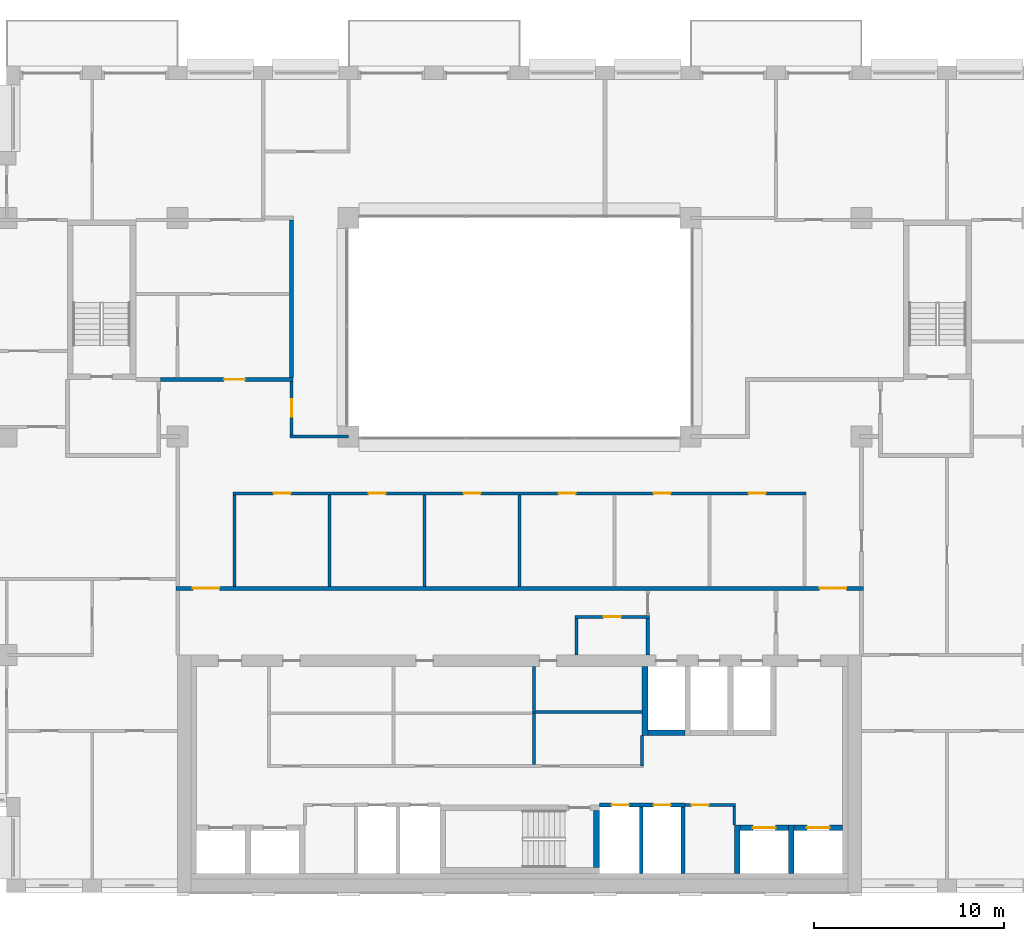
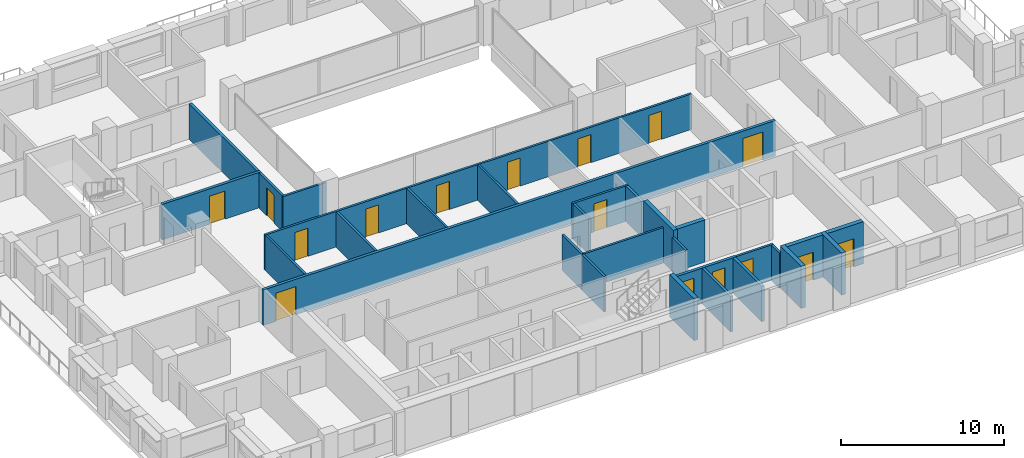
# One storey, part 10 of 16: 29 walls, 16 doors, 16 openings.
"""IFC4 building model written with IfcOpenShell, lengths in metres."""

import ifcopenshell
import ifcopenshell.guid

model = None  # the IFC model being written
_history = None  # IfcOwnerHistory: only IFC2X3 demands one
_inside = {}  # id of a spatial element -> (the spatial element, [elements in it])
_under = {}  # id of a project, library or spatial element -> (it, [spatial elements below it])
_declared = {}  # id of a project -> (the project, [libraries it declares])
_typed = {}  # id of a type object -> (the type object, [elements of that type])
_made_of = {}  # id of a material, layer set ... -> (it, [elements and type objects made of it])


def new_model(schema):
    """Start an empty IFC model of exactly this schema.

    Asked for "IFC4X3", IfcOpenShell would pick the latest addendum, in which some entities
    have other attributes; the version numbers below select the first issue.
    IFC2X3 requires an IfcOwnerHistory on every rooted entity: one is made here for all.
    """
    global model, _history
    if schema == "IFC4X3":
        model = ifcopenshell.file(schema_version=(4, 3, 0, 0))
    else:
        model = ifcopenshell.file(schema=schema)
    _inside.clear()
    _under.clear()
    _declared.clear()
    _typed.clear()
    _made_of.clear()
    _history = None
    if model.schema == "IFC2X3":
        org = make("IfcOrganization", Name="unknown")
        user = make(
            "IfcPersonAndOrganization",
            ThePerson=make("IfcPerson", FamilyName="unknown"),
            TheOrganization=org,
        )
        app = make(
            "IfcApplication",
            ApplicationDeveloper=org,
            Version="unknown",
            ApplicationFullName="unknown",
            ApplicationIdentifier="unknown",
        )
        _history = make(
            "IfcOwnerHistory",
            OwningUser=user,
            OwningApplication=app,
            ChangeAction="ADDED",
            CreationDate=0,
        )
    return model


def make(cls, **values):
    """One entity of the class cls with the attributes given. An attribute that is None is left unset."""
    return model.create_entity(
        cls, **{name: value for name, value in values.items() if value is not None}
    )


def rooted(cls, **values):
    """An entity with a GlobalId (a new one), such as an element, a storey or a relation."""
    return make(cls, GlobalId=ifcopenshell.guid.new(), OwnerHistory=_history, **values)


def si_unit(unit_type, name, prefix=None):
    """IfcSIUnit, for example si_unit("LENGTHUNIT", "METRE", prefix="MILLI")."""
    return make("IfcSIUnit", UnitType=unit_type, Prefix=prefix, Name=name)


def assignment(units):
    """IfcUnitAssignment: the units of a project."""
    return None if units is None else make("IfcUnitAssignment", Units=units)


def point(xyz):
    """IfcCartesianPoint."""
    return None if xyz is None else make("IfcCartesianPoint", Coordinates=xyz)


def direction(xyz):
    """IfcDirection."""
    return None if xyz is None else make("IfcDirection", DirectionRatios=xyz)


def frame(location, z_axis=None, x_axis=None):
    """IfcAxis2Placement3D, a coordinate frame: its origin and axes. An axis left out is left unset."""
    return make(
        "IfcAxis2Placement3D",
        Location=point(location),
        Axis=direction(z_axis),
        RefDirection=direction(x_axis),
    )


def frame_2d(location, x_axis=None):
    """IfcAxis2Placement2D, a coordinate frame in the plane: its origin and x axis."""
    return make(
        "IfcAxis2Placement2D", Location=point(location), RefDirection=direction(x_axis)
    )


def origin():
    """The frame at (0, 0, 0) with its axes left unset."""
    return frame((0.0, 0.0, 0.0))


def place(relative_to, where):
    """IfcLocalPlacement: puts the frame where relative to a parent placement (None: the world)."""
    return make(
        "IfcLocalPlacement", PlacementRelTo=relative_to, RelativePlacement=where
    )


def context(
    kind, dimensions, precision=None, world=None, true_north=None, identifier=None
):
    """IfcGeometricRepresentationContext, for example the 3D "Model" context."""
    return make(
        "IfcGeometricRepresentationContext",
        ContextIdentifier=identifier,
        ContextType=kind,
        CoordinateSpaceDimension=dimensions,
        Precision=precision,
        WorldCoordinateSystem=world,
        TrueNorth=true_north,
    )


def subcontext(parent, identifier, kind, view, scale=None):
    """IfcGeometricRepresentationSubContext, for example "Body" below "Model"."""
    return make(
        "IfcGeometricRepresentationSubContext",
        ContextIdentifier=identifier,
        ContextType=kind,
        ParentContext=parent,
        TargetScale=scale,
        TargetView=view,
    )


def project(units=None, contexts=None):
    """IfcProject with its units and contexts."""
    return rooted(
        "IfcProject",
        Name="project",
        RepresentationContexts=contexts,
        UnitsInContext=assignment(units),
    )


def spatial(cls, under=None, at=None, **own):
    """A site, building, storey or space (cls), placed at a placement, below another one or the project."""
    s = rooted(cls, ObjectPlacement=at, **own)
    if under is not None:
        _under.setdefault(under.id(), (under, []))[1].append(s)
    return s


def profile(cls, at=None, kind="AREA", **sizes):
    """A parametric profile (cls). Its sizes go by their IFC names, for example OverallWidth=200.0."""
    return make(cls, ProfileType=kind, Position=at, **sizes)


def rectangle(**sizes):
    """IfcRectangleProfileDef."""
    return profile("IfcRectangleProfileDef", **sizes)


def extrude(swept, where, along, depth):
    """IfcExtrudedAreaSolid: the profile swept, set in the frame where, extruded along a direction by depth."""
    return make(
        "IfcExtrudedAreaSolid",
        SweptArea=swept,
        Position=where,
        ExtrudedDirection=direction(along),
        Depth=depth,
    )


def shape(context_of_items, identifier, shape_type, items):
    """IfcShapeRepresentation: the items that make up one representation, for example the "Body"."""
    return make(
        "IfcShapeRepresentation",
        ContextOfItems=context_of_items,
        RepresentationIdentifier=identifier,
        RepresentationType=shape_type,
        Items=items,
    )


def material(Name=None, Category=None):
    """IfcMaterial."""
    return make("IfcMaterial", Name=Name, Category=Category)


def layer(
    of_material, thickness, ventilated=None, Name=None, Category=None, Priority=None
):
    """IfcMaterialLayer: one layer of a wall or slab, of a material (None: an air gap)."""
    return make(
        "IfcMaterialLayer",
        Material=of_material,
        LayerThickness=thickness,
        IsVentilated=ventilated,
        Name=Name,
        Category=Category,
        Priority=Priority,
    )


def layer_set(layers, Name=None):
    """IfcMaterialLayerSet."""
    return make("IfcMaterialLayerSet", MaterialLayers=layers, LayerSetName=Name)


def made_of(thing, what):
    """Note that an element or type object is made of a material, layer set ...; save() writes the relation."""
    if what is not None:
        _made_of.setdefault(what.id(), (what, []))[1].append(thing)
    return thing


def type_object(cls, material=None, **own):
    """A type object (cls), such as IfcWallType, which elements share."""
    return made_of(rooted(cls, **own), material)


def element(
    cls,
    number,
    at=None,
    inside=None,
    cuts=None,
    type_object=None,
    material=None,
    context=None,
    identifier="Body",
    shape_type=None,
    held_by="IfcProductDefinitionShape",
    body=None,
    shapes=None,
    **own,
):
    """One element of the class cls, such as IfcWall. Its Tag is "e" and its number.

    at: its placement. inside: the storey or other place that contains it. cuts: it is an
    opening in that element (IfcRelVoidsElement). A single representation is given by context,
    identifier, shape_type and body (its items); several are given by shapes. held_by: the class
    of the entity that holds the representations. save() writes the other relations.
    """
    e = rooted(cls, Tag="e%d" % number, ObjectPlacement=at, **own)
    if body is not None:
        shapes = [shape(context, identifier, shape_type, body)]
    if shapes is not None:
        e.Representation = make(held_by, Representations=shapes)
    if inside is not None:
        _inside.setdefault(inside.id(), (inside, []))[1].append(e)
    if cuts is not None:
        rooted(
            "IfcRelVoidsElement", RelatingBuildingElement=cuts, RelatedOpeningElement=e
        )
    if type_object is not None:
        _typed.setdefault(type_object.id(), (type_object, []))[1].append(e)
    return made_of(e, material)


def fill(opening, filler):
    """IfcRelFillsElement: the door or window that sits in an opening."""
    return rooted(
        "IfcRelFillsElement",
        RelatingOpeningElement=opening,
        RelatedBuildingElement=filler,
    )


def aggregate(whole, parts):
    """IfcRelAggregates: a whole, such as a stair, and the parts it consists of."""
    return rooted("IfcRelAggregates", RelatingObject=whole, RelatedObjects=parts)


def save(model, path):
    """Write the relations noted so far, then the file.

    IfcRelAggregates (storeys below a building ...), IfcRelContainedInSpatialStructure (elements
    in a storey), IfcRelDefinesByType, IfcRelAssociatesMaterial and IfcRelDeclares: one each for
    every whole, place, type object, material and project.
    """
    for whole, parts in _under.values():
        aggregate(whole, parts)
    for where, things in _inside.values():
        rooted(
            "IfcRelContainedInSpatialStructure",
            RelatedElements=things,
            RelatingStructure=where,
        )
    for kind, things in _typed.values():
        rooted("IfcRelDefinesByType", RelatedObjects=things, RelatingType=kind)
    for what, things in _made_of.values():
        rooted("IfcRelAssociatesMaterial", RelatedObjects=things, RelatingMaterial=what)
    for by, libraries in _declared.values():
        rooted("IfcRelDeclares", RelatingContext=by, RelatedDefinitions=libraries)
    model.write(path)


model = new_model("IFC4")

# Units and contexts
model_context = context("Model", 3, precision=1e-05, world=origin(), true_north=direction((0.0, 1.0)))
body_context = subcontext(model_context, "Body", "Model", "MODEL_VIEW")
ifc_project = project(units=[si_unit("LENGTHUNIT", "METRE"), si_unit("AREAUNIT", "SQUARE_METRE"), si_unit("VOLUMEUNIT", "CUBIC_METRE"), si_unit("PLANEANGLEUNIT", "RADIAN"), si_unit("MASSUNIT", "GRAM", prefix="KILO")], contexts=[model_context])

# Site, building, storey
site_placement = place(None, origin())
site = spatial("IfcSite", under=ifc_project, at=site_placement, CompositionType="ELEMENT")
building_placement = place(site_placement, origin())
building = spatial("IfcBuilding", under=site, at=building_placement, Name="Brigalow Station Residences", CompositionType="ELEMENT")
storey_placement = place(building_placement, frame((0.0, 0.0, 182.25)))
storey = spatial("IfcBuildingStorey", under=building, at=storey_placement, Name="L53", CompositionType="ELEMENT", Elevation=182.25)

# Walls
ifc_material_1 = material(Name="Concrete C65", Category="concrete")
ifc_layer_1 = layer(ifc_material_1, 0.300048828125)
ifc_layer_set_1 = layer_set([ifc_layer_1], Name="CORE SHEAR WALL 300 C65")
wall_type_1 = type_object("IfcWallType", Name="CORE SHEAR WALL 300 C65", PredefinedType="SHEAR", material=ifc_layer_set_1)
wall_1_placement = place(storey_placement, frame((42.75, 8.39990234375, 0.0), z_axis=(0.0, 0.0, 1.0), x_axis=(1.0, 0.0, 0.0)))
element("IfcWall", 1, at=wall_1_placement, inside=storey, type_object=wall_type_1, Name="CORE WALL SH-FF1-S L53", PredefinedType="SHEAR", context=body_context, shape_type="SweptSolid", body=[
    extrude(rectangle(XDim=1.949951171875, YDim=0.300048828125, at=frame_2d((0.97509765625, 0.0))), origin(), (0.0, 0.0, 1.0), 3.14990234375),
])
wall_2_placement = place(storey_placement, frame((42.60009765625, 8.25, 0.0), z_axis=(0.0, 0.0, 1.0), x_axis=(0.0, 1.0, 0.0)))
element("IfcWall", 2, at=wall_2_placement, inside=storey, type_object=wall_type_1, Name="CORE WALL SH-FF1-W L53", PredefinedType="SHEAR", context=body_context, shape_type="SweptSolid", body=[
    extrude(rectangle(XDim=3.64990234375, YDim=0.300048828125, at=frame_2d((1.824951171875, 0.0))), origin(), (0.0, 0.0, 1.0), 3.14990234375),
])

# Wall, opening, door
wall_3_placement = place(storey_placement, frame((47.60009765625, 3.39990234375, 0.0), z_axis=(0.0, 0.0, 1.0), x_axis=(1.0, 0.0, 0.0)))
wall_3 = element("IfcWall", 3, at=wall_3_placement, inside=storey, type_object=wall_type_1, Name="CORE WALL SH-C3-N L53", PredefinedType="SHEAR", context=body_context, shape_type="SweptSolid", body=[
    extrude(rectangle(XDim=2.5498046875, YDim=0.300048828125, at=frame_2d((1.27490234375, 0.0))), origin(), (0.0, 0.0, 1.0), 3.14990234375),
])
opening_1_placement = place(wall_3_placement, frame((0.675048828125, 0.0, 0.0)))
opening_1 = element("IfcOpeningElement", 4, at=opening_1_placement, cuts=wall_3, Name="Opening LD-LB3", PredefinedType="OPENING", context=body_context, shape_type="SweptSolid", body=[
    extrude(rectangle(XDim=1.199951171875, YDim=2.10009765625, at=frame_2d((0.60009765625, 1.050048828125))), frame((0.0, 0.16015625, 0.0), z_axis=(0.0, -1.0, 0.0), x_axis=(1.0, 0.0, 0.0)), (0.0, 0.0, 1.0), 0.320068359375),
])
ifc_material_2 = material(Name="Stainless steel sliding door leaves", Category="steel")
door_type_1 = type_object("IfcDoorType", Name="LIFT LANDING DOOR 1200 x 2100", OperationType="DOUBLE_DOOR_SLIDING", PredefinedType="DOOR", material=ifc_material_2)
door_1_placement = place(opening_1_placement, origin())
door_1 = element("IfcDoor", 5, at=door_1_placement, inside=storey, type_object=door_type_1, Name="LANDING DOOR LB3", OperationType="DOUBLE_DOOR_SLIDING", OverallHeight=2.10009765625, OverallWidth=1.199951171875, PredefinedType="DOOR", context=body_context, shape_type="SweptSolid", body=[
    extrude(rectangle(XDim=1.199951171875, YDim=2.10009765625, at=frame_2d((0.60009765625, 1.050048828125))), frame((0.0, 0.02490234375, 0.0), z_axis=(0.0, -1.0, 0.0), x_axis=(1.0, 0.0, 0.0)), (0.0, 0.0, 1.0), 0.050048828125),
])
fill(opening_1, door_1)

# Wall
wall_4_placement = place(storey_placement, frame((47.449951171875, 1.0, 0.0), z_axis=(0.0, 0.0, 1.0), x_axis=(0.0, 1.0, 0.0)))
element("IfcWall", 6, at=wall_4_placement, inside=storey, type_object=wall_type_1, Name="CORE WALL SH-C3-W L53", PredefinedType="SHEAR", context=body_context, shape_type="SweptSolid", body=[
    extrude(rectangle(XDim=2.550048828125, YDim=0.300048828125, at=frame_2d((1.27490234375, 0.0))), origin(), (0.0, 0.0, 1.0), 3.14990234375),
])

# Wall, opening, door
wall_5_placement = place(storey_placement, frame((50.449951171875, 3.39990234375, 0.0), z_axis=(0.0, 0.0, 1.0), x_axis=(1.0, 0.0, 0.0)))
wall_5 = element("IfcWall", 7, at=wall_5_placement, inside=storey, type_object=wall_type_1, Name="CORE WALL SH-C4-N L53", PredefinedType="SHEAR", context=body_context, shape_type="SweptSolid", body=[
    extrude(rectangle(XDim=2.550048828125, YDim=0.300048828125, at=frame_2d((1.27490234375, 0.0))), origin(), (0.0, 0.0, 1.0), 3.14990234375),
])
opening_2_placement = place(wall_5_placement, frame((0.675048828125, 0.0, 0.0)))
opening_2 = element("IfcOpeningElement", 8, at=opening_2_placement, cuts=wall_5, Name="Opening LD-LB4", PredefinedType="OPENING", context=body_context, shape_type="SweptSolid", body=[
    extrude(rectangle(XDim=1.199951171875, YDim=2.10009765625, at=frame_2d((0.60009765625, 1.050048828125))), frame((0.0, 0.16015625, 0.0), z_axis=(0.0, -1.0, 0.0), x_axis=(1.0, 0.0, 0.0)), (0.0, 0.0, 1.0), 0.320068359375),
])
door_2_placement = place(opening_2_placement, origin())
door_2 = element("IfcDoor", 9, at=door_2_placement, inside=storey, type_object=door_type_1, Name="LANDING DOOR LB4", OperationType="DOUBLE_DOOR_SLIDING", OverallHeight=2.10009765625, OverallWidth=1.199951171875, PredefinedType="DOOR", context=body_context, shape_type="SweptSolid", body=[
    extrude(rectangle(XDim=1.199951171875, YDim=2.10009765625, at=frame_2d((0.60009765625, 1.050048828125))), frame((0.0, 0.02490234375, 0.0), z_axis=(0.0, -1.0, 0.0), x_axis=(1.0, 0.0, 0.0)), (0.0, 0.0, 1.0), 0.050048828125),
])
fill(opening_2, door_2)

# Walls
wall_6_placement = place(storey_placement, frame((50.300048828125, 1.0, 0.0), z_axis=(0.0, 0.0, 1.0), x_axis=(0.0, 1.0, 0.0)))
element("IfcWall", 10, at=wall_6_placement, inside=storey, type_object=wall_type_1, Name="CORE WALL SH-C4-W L53", PredefinedType="SHEAR", context=body_context, shape_type="SweptSolid", body=[
    extrude(rectangle(XDim=2.550048828125, YDim=0.300048828125, at=frame_2d((1.27490234375, 0.0))), origin(), (0.0, 0.0, 1.0), 3.14990234375),
])
wall_7_placement = place(storey_placement, frame((40.050048828125, 1.300048828125, 0.0), z_axis=(0.0, 0.0, 1.0), x_axis=(0.0, 1.0, 0.0)))
element("IfcWall", 11, at=wall_7_placement, inside=storey, type_object=wall_type_1, Name="CORE WALL ST-S2-E L53", PredefinedType="SHEAR", context=body_context, shape_type="SweptSolid", body=[
    extrude(rectangle(XDim=3.0, YDim=0.300048828125, at=frame_2d((1.5, 0.0))), origin(), (0.0, 0.0, 1.0), 3.14990234375),
])

# Wall, openings, doors
ifc_material_3 = material(Name="Concrete blockwork", Category="masonry")
ifc_layer_2 = layer(ifc_material_3, 0.199951171875)
ifc_layer_set_2 = layer_set([ifc_layer_2], Name="FIRE RATED CORE PARTITION 200")
wall_type_2 = type_object("IfcWallType", Name="FIRE RATED CORE PARTITION 200", PredefinedType="PARTITIONING", material=ifc_layer_set_2)
wall_8_placement = place(storey_placement, frame((40.199951171875, 4.60009765625, 0.0), z_axis=(0.0, 0.0, 1.0), x_axis=(1.0, 0.0, 0.0)))
wall_8 = element("IfcWall", 12, at=wall_8_placement, inside=storey, type_object=wall_type_2, Name="PW-5018", PredefinedType="PARTITIONING", context=body_context, shape_type="SweptSolid", body=[
    extrude(rectangle(XDim=4.5, YDim=0.199951171875, at=frame_2d((2.25, 0.0))), origin(), (0.0, 0.0, 1.0), 2.64990234375),
])
opening_3_placement = place(wall_8_placement, frame((0.64990234375, 0.0, 0.0)))
opening_3 = element("IfcOpeningElement", 13, at=opening_3_placement, cuts=wall_8, Name="Opening D-5009", PredefinedType="OPENING", context=body_context, shape_type="SweptSolid", body=[
    extrude(rectangle(XDim=0.89990234375, YDim=2.10009765625, at=frame_2d((0.449951171875, 1.050048828125))), frame((0.0, 0.10986328125, 0.0), z_axis=(0.0, -1.0, 0.0), x_axis=(1.0, 0.0, 0.0)), (0.0, 0.0, 1.0), 0.219970703125),
])
opening_4_placement = place(wall_8_placement, frame((2.85009765625, 0.0, 0.0)))
opening_4 = element("IfcOpeningElement", 14, at=opening_4_placement, cuts=wall_8, Name="Opening D-5010", PredefinedType="OPENING", context=body_context, shape_type="SweptSolid", body=[
    extrude(rectangle(XDim=0.89990234375, YDim=2.10009765625, at=frame_2d((0.449951171875, 1.050048828125))), frame((0.0, 0.10986328125, 0.0), z_axis=(0.0, -1.0, 0.0), x_axis=(1.0, 0.0, 0.0)), (0.0, 0.0, 1.0), 0.219970703125),
])
ifc_material_4 = material(Name="Steel fire door leaf in steel frame", Category="steel")
door_type_2 = type_object("IfcDoorType", Name="RISER ACCESS DOOR 900 x 2100 FD120", OperationType="SINGLE_SWING_LEFT", PredefinedType="DOOR", material=ifc_material_4)
door_3_placement = place(opening_3_placement, frame((0.89990234375, 0.0, 0.0), z_axis=(0.0, 0.0, 1.0), x_axis=(-1.0, 0.0, 0.0)))
door_3 = element("IfcDoor", 15, at=door_3_placement, inside=storey, type_object=door_type_2, Name="D-5009", OperationType="SINGLE_SWING_LEFT", OverallHeight=2.10009765625, OverallWidth=0.89990234375, PredefinedType="DOOR", context=body_context, shape_type="SweptSolid", body=[
    extrude(rectangle(XDim=0.89990234375, YDim=2.10009765625, at=frame_2d((0.449951171875, 1.050048828125))), frame((0.0, 0.02490234375, 0.0), z_axis=(0.0, -1.0, 0.0), x_axis=(1.0, 0.0, 0.0)), (0.0, 0.0, 1.0), 0.050048828125),
])
fill(opening_3, door_3)
door_4_placement = place(opening_4_placement, frame((0.89990234375, 0.0, 0.0), z_axis=(0.0, 0.0, 1.0), x_axis=(-1.0, 0.0, 0.0)))
door_4 = element("IfcDoor", 16, at=door_4_placement, inside=storey, type_object=door_type_2, Name="D-5010", OperationType="SINGLE_SWING_LEFT", OverallHeight=2.10009765625, OverallWidth=0.89990234375, PredefinedType="DOOR", context=body_context, shape_type="SweptSolid", body=[
    extrude(rectangle(XDim=0.89990234375, YDim=2.10009765625, at=frame_2d((0.449951171875, 1.050048828125))), frame((0.0, 0.02490234375, 0.0), z_axis=(0.0, -1.0, 0.0), x_axis=(1.0, 0.0, 0.0)), (0.0, 0.0, 1.0), 0.050048828125),
])
fill(opening_4, door_4)

# Walls
for number, where, z_axis, x_axis, name in (
    (17, (42.39990234375, 1.0, 0.0), (0.0, 0.0, 1.0), (0.0, 1.0, 0.0), "PW-5007"),
    (18, (44.60009765625, 1.0, 0.0), (0.0, 0.0, 1.0), (0.0, 1.0, 0.0), "PW-5008"),
):
    element("IfcWall", number, at=place(storey_placement, frame(where, z_axis=z_axis, x_axis=x_axis)), inside=storey, type_object=wall_type_2, Name=name, PredefinedType="PARTITIONING", context=body_context, shape_type="SweptSolid", body=[
        extrude(rectangle(XDim=3.5, YDim=0.199951171875, at=frame_2d((1.75, 0.0))), origin(), (0.0, 0.0, 1.0), 2.64990234375),
    ])
wall_9_placement = place(storey_placement, frame((42.75, 12.5, 0.0), z_axis=(0.0, 0.0, 1.0), x_axis=(0.0, 1.0, 0.0)))
element("IfcWall", 19, at=wall_9_placement, inside=storey, type_object=wall_type_2, Name="PW-5046", PredefinedType="PARTITIONING", context=body_context, shape_type="SweptSolid", body=[
    extrude(rectangle(XDim=1.925048828125, YDim=0.199951171875, at=frame_2d((0.96240234375, 0.0))), origin(), (0.0, 0.0, 1.0), 2.64990234375),
])
ifc_material_5 = material(Name="Plasterboard on steel stud partition", Category="steel")
ifc_layer_3 = layer(ifc_material_5, 0.14990234375)
ifc_layer_set_3 = layer_set([ifc_layer_3], Name="FLAT PARTITION 150")
wall_type_3 = type_object("IfcWallType", Name="FLAT PARTITION 150", PredefinedType="PARTITIONING", material=ifc_layer_set_3)
wall_10_placement = place(storey_placement, frame((23.925048828125, 24.0, 0.0), z_axis=(0.0, 0.0, 1.0), x_axis=(1.0, 0.0, 0.0)))
element("IfcWall", 20, at=wall_10_placement, inside=storey, type_object=wall_type_3, Name="PW-3F01", PredefinedType="PARTITIONING", context=body_context, shape_type="SweptSolid", body=[
    extrude(rectangle(XDim=3.074951171875, YDim=0.14990234375, at=frame_2d((1.53759765625, 0.0))), origin(), (0.0, 0.0, 1.0), 2.64990234375),
])

# Wall, openings, doors
wall_11_placement = place(storey_placement, frame((20.925048828125, 21.0, 0.0), z_axis=(0.0, 0.0, 1.0), x_axis=(1.0, 0.0, 0.0)))
wall_11 = element("IfcWall", 21, at=wall_11_placement, inside=storey, type_object=wall_type_3, Name="PW-3F06", PredefinedType="PARTITIONING", context=body_context, shape_type="SweptSolid", body=[
    extrude(rectangle(XDim=30.14990234375, YDim=0.14990234375, at=frame_2d((15.074951171875, 0.0))), origin(), (0.0, 0.0, 1.0), 2.64990234375),
])
opening_5_placement = place(wall_11_placement, frame((2.125, 0.0, 0.0)))
opening_5 = element("IfcOpeningElement", 22, at=opening_5_placement, cuts=wall_11, Name="Opening D-3F38", PredefinedType="OPENING", context=body_context, shape_type="SweptSolid", body=[
    extrude(rectangle(XDim=0.89990234375, YDim=2.10009765625, at=frame_2d((0.449951171875, 1.050048828125))), frame((0.0, 0.0849609375, 0.0), z_axis=(0.0, -1.0, 0.0), x_axis=(1.0, 0.0, 0.0)), (0.0, 0.0, 1.0), 0.169921875),
])
opening_6_placement = place(wall_11_placement, frame((7.125, 0.0, 0.0)))
opening_6 = element("IfcOpeningElement", 23, at=opening_6_placement, cuts=wall_11, Name="Opening D-3F39", PredefinedType="OPENING", context=body_context, shape_type="SweptSolid", body=[
    extrude(rectangle(XDim=0.89990234375, YDim=2.10009765625, at=frame_2d((0.449951171875, 1.050048828125))), frame((0.0, 0.0849609375, 0.0), z_axis=(0.0, -1.0, 0.0), x_axis=(1.0, 0.0, 0.0)), (0.0, 0.0, 1.0), 0.169921875),
])
opening_7_placement = place(wall_11_placement, frame((12.125, 0.0, 0.0)))
opening_7 = element("IfcOpeningElement", 24, at=opening_7_placement, cuts=wall_11, Name="Opening D-3F40", PredefinedType="OPENING", context=body_context, shape_type="SweptSolid", body=[
    extrude(rectangle(XDim=0.89990234375, YDim=2.10009765625, at=frame_2d((0.449951171875, 1.050048828125))), frame((0.0, 0.0849609375, 0.0), z_axis=(0.0, -1.0, 0.0), x_axis=(1.0, 0.0, 0.0)), (0.0, 0.0, 1.0), 0.169921875),
])
opening_8_placement = place(wall_11_placement, frame((17.125, 0.0, 0.0)))
opening_8 = element("IfcOpeningElement", 25, at=opening_8_placement, cuts=wall_11, Name="Opening D-3F41", PredefinedType="OPENING", context=body_context, shape_type="SweptSolid", body=[
    extrude(rectangle(XDim=0.89990234375, YDim=2.10009765625, at=frame_2d((0.449951171875, 1.050048828125))), frame((0.0, 0.0849609375, 0.0), z_axis=(0.0, -1.0, 0.0), x_axis=(1.0, 0.0, 0.0)), (0.0, 0.0, 1.0), 0.169921875),
])
opening_9_placement = place(wall_11_placement, frame((22.125, 0.0, 0.0)))
opening_9 = element("IfcOpeningElement", 26, at=opening_9_placement, cuts=wall_11, Name="Opening D-3F42", PredefinedType="OPENING", context=body_context, shape_type="SweptSolid", body=[
    extrude(rectangle(XDim=0.89990234375, YDim=2.10009765625, at=frame_2d((0.449951171875, 1.050048828125))), frame((0.0, 0.0849609375, 0.0), z_axis=(0.0, -1.0, 0.0), x_axis=(1.0, 0.0, 0.0)), (0.0, 0.0, 1.0), 0.169921875),
])
opening_10_placement = place(wall_11_placement, frame((27.125, 0.0, 0.0)))
opening_10 = element("IfcOpeningElement", 27, at=opening_10_placement, cuts=wall_11, Name="Opening D-3F43", PredefinedType="OPENING", context=body_context, shape_type="SweptSolid", body=[
    extrude(rectangle(XDim=0.89990234375, YDim=2.10009765625, at=frame_2d((0.449951171875, 1.050048828125))), frame((0.0, 0.0849609375, 0.0), z_axis=(0.0, -1.0, 0.0), x_axis=(1.0, 0.0, 0.0)), (0.0, 0.0, 1.0), 0.169921875),
])
ifc_material_6 = material(Name="Solid-core timber door leaf", Category="wood")
door_type_3 = type_object("IfcDoorType", Name="INTERNAL DOOR 900 x 2100", OperationType="SINGLE_SWING_LEFT", PredefinedType="DOOR", material=ifc_material_6)
door_5_placement = place(opening_5_placement, frame((0.89990234375, 0.0, 0.0), z_axis=(0.0, 0.0, 1.0), x_axis=(-1.0, 0.0, 0.0)))
door_5 = element("IfcDoor", 28, at=door_5_placement, inside=storey, type_object=door_type_3, Name="D-3F38", OperationType="SINGLE_SWING_LEFT", OverallHeight=2.10009765625, OverallWidth=0.89990234375, PredefinedType="DOOR", context=body_context, shape_type="SweptSolid", body=[
    extrude(rectangle(XDim=0.89990234375, YDim=2.10009765625, at=frame_2d((0.449951171875, 1.050048828125))), frame((0.0, 0.02490234375, 0.0), z_axis=(0.0, -1.0, 0.0), x_axis=(1.0, 0.0, 0.0)), (0.0, 0.0, 1.0), 0.050048828125),
])
fill(opening_5, door_5)
door_6_placement = place(opening_6_placement, frame((0.89990234375, 0.0, 0.0), z_axis=(0.0, 0.0, 1.0), x_axis=(-1.0, 0.0, 0.0)))
door_6 = element("IfcDoor", 29, at=door_6_placement, inside=storey, type_object=door_type_3, Name="D-3F39", OperationType="SINGLE_SWING_LEFT", OverallHeight=2.10009765625, OverallWidth=0.89990234375, PredefinedType="DOOR", context=body_context, shape_type="SweptSolid", body=[
    extrude(rectangle(XDim=0.89990234375, YDim=2.10009765625, at=frame_2d((0.449951171875, 1.050048828125))), frame((0.0, 0.02490234375, 0.0), z_axis=(0.0, -1.0, 0.0), x_axis=(1.0, 0.0, 0.0)), (0.0, 0.0, 1.0), 0.050048828125),
])
fill(opening_6, door_6)
door_7_placement = place(opening_7_placement, frame((0.89990234375, 0.0, 0.0), z_axis=(0.0, 0.0, 1.0), x_axis=(-1.0, 0.0, 0.0)))
door_7 = element("IfcDoor", 30, at=door_7_placement, inside=storey, type_object=door_type_3, Name="D-3F40", OperationType="SINGLE_SWING_LEFT", OverallHeight=2.10009765625, OverallWidth=0.89990234375, PredefinedType="DOOR", context=body_context, shape_type="SweptSolid", body=[
    extrude(rectangle(XDim=0.89990234375, YDim=2.10009765625, at=frame_2d((0.449951171875, 1.050048828125))), frame((0.0, 0.02490234375, 0.0), z_axis=(0.0, -1.0, 0.0), x_axis=(1.0, 0.0, 0.0)), (0.0, 0.0, 1.0), 0.050048828125),
])
fill(opening_7, door_7)
door_8_placement = place(opening_8_placement, frame((0.89990234375, 0.0, 0.0), z_axis=(0.0, 0.0, 1.0), x_axis=(-1.0, 0.0, 0.0)))
door_8 = element("IfcDoor", 31, at=door_8_placement, inside=storey, type_object=door_type_3, Name="D-3F41", OperationType="SINGLE_SWING_RIGHT", OverallHeight=2.10009765625, OverallWidth=0.89990234375, PredefinedType="DOOR", context=body_context, shape_type="SweptSolid", body=[
    extrude(rectangle(XDim=0.89990234375, YDim=2.10009765625, at=frame_2d((0.449951171875, 1.050048828125))), frame((0.0, 0.02490234375, 0.0), z_axis=(0.0, -1.0, 0.0), x_axis=(1.0, 0.0, 0.0)), (0.0, 0.0, 1.0), 0.050048828125),
])
fill(opening_8, door_8)
door_9_placement = place(opening_9_placement, frame((0.89990234375, 0.0, 0.0), z_axis=(0.0, 0.0, 1.0), x_axis=(-1.0, 0.0, 0.0)))
door_9 = element("IfcDoor", 32, at=door_9_placement, inside=storey, type_object=door_type_3, Name="D-3F42", OperationType="SINGLE_SWING_LEFT", OverallHeight=2.10009765625, OverallWidth=0.89990234375, PredefinedType="DOOR", context=body_context, shape_type="SweptSolid", body=[
    extrude(rectangle(XDim=0.89990234375, YDim=2.10009765625, at=frame_2d((0.449951171875, 1.050048828125))), frame((0.0, 0.02490234375, 0.0), z_axis=(0.0, -1.0, 0.0), x_axis=(1.0, 0.0, 0.0)), (0.0, 0.0, 1.0), 0.050048828125),
])
fill(opening_9, door_9)
door_10_placement = place(opening_10_placement, frame((0.89990234375, 0.0, 0.0), z_axis=(0.0, 0.0, 1.0), x_axis=(-1.0, 0.0, 0.0)))
door_10 = element("IfcDoor", 33, at=door_10_placement, inside=storey, type_object=door_type_3, Name="D-3F43", OperationType="SINGLE_SWING_LEFT", OverallHeight=2.10009765625, OverallWidth=0.89990234375, PredefinedType="DOOR", context=body_context, shape_type="SweptSolid", body=[
    extrude(rectangle(XDim=0.89990234375, YDim=2.10009765625, at=frame_2d((0.449951171875, 1.050048828125))), frame((0.0, 0.02490234375, 0.0), z_axis=(0.0, -1.0, 0.0), x_axis=(1.0, 0.0, 0.0)), (0.0, 0.0, 1.0), 0.050048828125),
])
fill(opening_10, door_10)

# Wall
wall_12_placement = place(storey_placement, frame((21.0, 16.10009765625, 0.0), z_axis=(0.0, 0.0, 1.0), x_axis=(0.0, 1.0, 0.0)))
element("IfcWall", 34, at=wall_12_placement, inside=storey, type_object=wall_type_3, Name="PW-3F31", PredefinedType="PARTITIONING", context=body_context, shape_type="SweptSolid", body=[
    extrude(rectangle(XDim=4.824951171875, YDim=0.14990234375, at=frame_2d((2.41259765625, 0.0))), origin(), (0.0, 0.0, 1.0), 2.64990234375),
])

# Wall, opening, door
wall_13_placement = place(storey_placement, frame((24.0, 24.074951171875, 0.0), z_axis=(0.0, 0.0, 1.0), x_axis=(0.0, 1.0, 0.0)))
wall_13 = element("IfcWall", 35, at=wall_13_placement, inside=storey, type_object=wall_type_3, Name="PW-3F33", PredefinedType="PARTITIONING", context=body_context, shape_type="SweptSolid", body=[
    extrude(rectangle(XDim=2.824951171875, YDim=0.14990234375, at=frame_2d((1.41259765625, 0.0))), origin(), (0.0, 0.0, 1.0), 2.64990234375),
])
opening_11_placement = place(wall_13_placement, frame((0.97509765625, 0.0, 0.0)))
opening_11 = element("IfcOpeningElement", 36, at=opening_11_placement, cuts=wall_13, Name="Opening D-3F36", PredefinedType="OPENING", context=body_context, shape_type="SweptSolid", body=[
    extrude(rectangle(XDim=0.89990234375, YDim=2.10009765625, at=frame_2d((0.449951171875, 1.050048828125))), frame((0.0, 0.0849609375, 0.0), z_axis=(0.0, -1.0, 0.0), x_axis=(1.0, 0.0, 0.0)), (0.0, 0.0, 1.0), 0.169921875),
])
door_11_placement = place(opening_11_placement, origin())
door_11 = element("IfcDoor", 37, at=door_11_placement, inside=storey, type_object=door_type_3, Name="D-3F36", OperationType="SINGLE_SWING_RIGHT", OverallHeight=2.10009765625, OverallWidth=0.89990234375, PredefinedType="DOOR", context=body_context, shape_type="SweptSolid", body=[
    extrude(rectangle(XDim=0.89990234375, YDim=2.10009765625, at=frame_2d((0.449951171875, 1.050048828125))), frame((0.0, 0.02490234375, 0.0), z_axis=(0.0, -1.0, 0.0), x_axis=(1.0, 0.0, 0.0)), (0.0, 0.0, 1.0), 0.050048828125),
])
fill(opening_11, door_11)

# Walls
for number, where, z_axis, x_axis, name in (
    (38, (26.0, 16.10009765625, 0.0), (0.0, 0.0, 1.0), (0.0, 1.0, 0.0), "PW-3F55"),
    (39, (31.0, 16.10009765625, 0.0), (0.0, 0.0, 1.0), (0.0, 1.0, 0.0), "PW-3F56"),
    (40, (36.0, 16.10009765625, 0.0), (0.0, 0.0, 1.0), (0.0, 1.0, 0.0), "PW-3F57"),
):
    element("IfcWall", number, at=place(storey_placement, frame(where, z_axis=z_axis, x_axis=x_axis)), inside=storey, type_object=wall_type_3, Name=name, PredefinedType="PARTITIONING", context=body_context, shape_type="SweptSolid", body=[
        extrude(rectangle(XDim=4.824951171875, YDim=0.14990234375, at=frame_2d((2.41259765625, 0.0))), origin(), (0.0, 0.0, 1.0), 2.64990234375),
    ])

# Wall, opening, door
ifc_material_7 = material(Name="Plasterboard on steel stud partition", Category="steel")
ifc_layer_4 = layer(ifc_material_7, 0.199951171875)
ifc_layer_set_4 = layer_set([ifc_layer_4], Name="PARTY AND CORRIDOR WALL 200")
wall_type_4 = type_object("IfcWallType", Name="PARTY AND CORRIDOR WALL 200", PredefinedType="PARTITIONING", material=ifc_layer_set_4)
wall_14_placement = place(storey_placement, frame((17.10009765625, 27.0, 0.0), z_axis=(0.0, 0.0, 1.0), x_axis=(1.0, 0.0, 0.0)))
wall_14 = element("IfcWall", 41, at=wall_14_placement, inside=storey, type_object=wall_type_4, Name="PW-3F07", PredefinedType="PARTITIONING", context=body_context, shape_type="SweptSolid", body=[
    extrude(rectangle(XDim=6.974853515625, YDim=0.199951171875, at=frame_2d((3.4873046875, 0.0))), origin(), (0.0, 0.0, 1.0), 2.64990234375),
])
opening_12_placement = place(wall_14_placement, frame((3.35009765625, 0.0, 0.0)))
opening_12 = element("IfcOpeningElement", 42, at=opening_12_placement, cuts=wall_14, Name="Opening D-3F03", PredefinedType="OPENING", context=body_context, shape_type="SweptSolid", body=[
    extrude(rectangle(XDim=1.10009765625, YDim=2.10009765625, at=frame_2d((0.550048828125, 1.050048828125))), frame((0.0, 0.10986328125, 0.0), z_axis=(0.0, -1.0, 0.0), x_axis=(1.0, 0.0, 0.0)), (0.0, 0.0, 1.0), 0.219970703125),
])
ifc_material_8 = material(Name="Solid-core timber door leaf", Category="wood")
door_type_4 = type_object("IfcDoorType", Name="FLAT ENTRANCE DOOR 1100 x 2100 FRL -/60/30", OperationType="SINGLE_SWING_LEFT", PredefinedType="DOOR", material=ifc_material_8)
door_12_placement = place(opening_12_placement, origin())
door_12 = element("IfcDoor", 43, at=door_12_placement, inside=storey, type_object=door_type_4, Name="D-3F03", OperationType="SINGLE_SWING_RIGHT", OverallHeight=2.10009765625, OverallWidth=1.10009765625, PredefinedType="DOOR", context=body_context, shape_type="SweptSolid", body=[
    extrude(rectangle(XDim=1.10009765625, YDim=2.10009765625, at=frame_2d((0.550048828125, 1.050048828125))), frame((0.0, 0.02490234375, 0.0), z_axis=(0.0, -1.0, 0.0), x_axis=(1.0, 0.0, 0.0)), (0.0, 0.0, 1.0), 0.050048828125),
])
fill(opening_12, door_12)

# Wall, openings, doors
wall_15_placement = place(storey_placement, frame((17.89990234375, 16.0, 0.0), z_axis=(0.0, 0.0, 1.0), x_axis=(1.0, 0.0, 0.0)))
wall_15 = element("IfcWall", 44, at=wall_15_placement, inside=storey, type_object=wall_type_4, Name="PW-3F27", PredefinedType="PARTITIONING", context=body_context, shape_type="SweptSolid", body=[
    extrude(rectangle(XDim=36.2001953125, YDim=0.199951171875, at=frame_2d((18.10009765625, 0.0))), origin(), (0.0, 0.0, 1.0), 2.64990234375),
])
opening_13_placement = place(wall_15_placement, frame((0.89990234375, 0.0, 0.0)))
opening_13 = element("IfcOpeningElement", 45, at=opening_13_placement, cuts=wall_15, Name="Opening D-3F01", PredefinedType="OPENING", context=body_context, shape_type="SweptSolid", body=[
    extrude(rectangle(XDim=1.39990234375, YDim=2.10009765625, at=frame_2d((0.699951171875, 1.050048828125))), frame((0.0, 0.10986328125, 0.0), z_axis=(0.0, -1.0, 0.0), x_axis=(1.0, 0.0, 0.0)), (0.0, 0.0, 1.0), 0.219970703125),
])
opening_14_placement = place(wall_15_placement, frame((33.89990234375, 0.0, 0.0)))
opening_14 = element("IfcOpeningElement", 46, at=opening_14_placement, cuts=wall_15, Name="Opening D-3F02", PredefinedType="OPENING", context=body_context, shape_type="SweptSolid", body=[
    extrude(rectangle(XDim=1.39990234375, YDim=2.10009765625, at=frame_2d((0.699951171875, 1.050048828125))), frame((0.0, 0.10986328125, 0.0), z_axis=(0.0, -1.0, 0.0), x_axis=(1.0, 0.0, 0.0)), (0.0, 0.0, 1.0), 0.219970703125),
])
ifc_material_9 = material(Name="Solid-core timber door leaf", Category="wood")
door_type_5 = type_object("IfcDoorType", Name="CORRIDOR FIRE DOOR 1400 x 2100 FRL -/60/30", OperationType="DOUBLE_DOOR_SINGLE_SWING", PredefinedType="DOOR", material=ifc_material_9)
door_13_placement = place(opening_13_placement, frame((1.39990234375, 0.0, 0.0), z_axis=(0.0, 0.0, 1.0), x_axis=(-1.0, 0.0, 0.0)))
door_13 = element("IfcDoor", 47, at=door_13_placement, inside=storey, type_object=door_type_5, Name="D-3F01", OperationType="DOUBLE_DOOR_SINGLE_SWING", OverallHeight=2.10009765625, OverallWidth=1.39990234375, PredefinedType="DOOR", context=body_context, shape_type="SweptSolid", body=[
    extrude(rectangle(XDim=1.39990234375, YDim=2.10009765625, at=frame_2d((0.699951171875, 1.050048828125))), frame((0.0, 0.02490234375, 0.0), z_axis=(0.0, -1.0, 0.0), x_axis=(1.0, 0.0, 0.0)), (0.0, 0.0, 1.0), 0.050048828125),
])
fill(opening_13, door_13)
door_14_placement = place(opening_14_placement, frame((1.39990234375, 0.0, 0.0), z_axis=(0.0, 0.0, 1.0), x_axis=(-1.0, 0.0, 0.0)))
door_14 = element("IfcDoor", 48, at=door_14_placement, inside=storey, type_object=door_type_5, Name="D-3F02", OperationType="DOUBLE_DOOR_SINGLE_SWING", OverallHeight=2.10009765625, OverallWidth=1.39990234375, PredefinedType="DOOR", context=body_context, shape_type="SweptSolid", body=[
    extrude(rectangle(XDim=1.39990234375, YDim=2.10009765625, at=frame_2d((0.699951171875, 1.050048828125))), frame((0.0, 0.02490234375, 0.0), z_axis=(0.0, -1.0, 0.0), x_axis=(1.0, 0.0, 0.0)), (0.0, 0.0, 1.0), 0.050048828125),
])
fill(opening_14, door_14)

# Wall
wall_16_placement = place(storey_placement, frame((24.0, 27.10009765625, 0.0), z_axis=(0.0, 0.0, 1.0), x_axis=(0.0, 1.0, 0.0)))
element("IfcWall", 49, at=wall_16_placement, inside=storey, type_object=wall_type_4, Name="PW-3F34", PredefinedType="PARTITIONING", context=body_context, shape_type="SweptSolid", body=[
    extrude(rectangle(XDim=8.2998046875, YDim=0.199951171875, at=frame_2d((4.14990234375, 0.0))), origin(), (0.0, 0.0, 1.0), 2.64990234375),
])

# Wall, opening, door
ifc_material_10 = material(Name="Plasterboard on steel studs", Category="steel")
ifc_layer_5 = layer(ifc_material_10, 0.14990234375)
ifc_layer_set_5 = layer_set([ifc_layer_5], Name="SERVICE ROOM PARTITION 150")
wall_type_5 = type_object("IfcWallType", Name="SERVICE ROOM PARTITION 150", PredefinedType="PARTITIONING", material=ifc_layer_set_5)
wall_17_placement = place(storey_placement, frame((44.699951171875, 4.60009765625, 0.0), z_axis=(0.0, 0.0, 1.0), x_axis=(1.0, 0.0, 0.0)))
wall_17 = element("IfcWall", 50, at=wall_17_placement, inside=storey, type_object=wall_type_5, Name="PW-5156", PredefinedType="PARTITIONING", context=body_context, shape_type="SweptSolid", body=[
    extrude(rectangle(XDim=2.675048828125, YDim=0.14990234375, at=frame_2d((1.33740234375, 0.0))), origin(), (0.0, 0.0, 1.0), 2.64990234375),
])
opening_15_placement = place(wall_17_placement, frame((0.35009765625, 0.0, 0.0)))
opening_15 = element("IfcOpeningElement", 51, at=opening_15_placement, cuts=wall_17, Name="Opening D-5026", PredefinedType="OPENING", context=body_context, shape_type="SweptSolid", body=[
    extrude(rectangle(XDim=0.89990234375, YDim=2.10009765625, at=frame_2d((0.449951171875, 1.050048828125))), frame((0.0, 0.0849609375, 0.0), z_axis=(0.0, -1.0, 0.0), x_axis=(1.0, 0.0, 0.0)), (0.0, 0.0, 1.0), 0.169921875),
])
ifc_material_11 = material(Name="Steel door leaf in steel frame", Category="steel")
door_type_6 = type_object("IfcDoorType", Name="SERVICE ROOM DOOR 900 x 2100 FD60", OperationType="SINGLE_SWING_LEFT", PredefinedType="DOOR", material=ifc_material_11)
door_15_placement = place(opening_15_placement, frame((0.89990234375, 0.0, 0.0), z_axis=(0.0, 0.0, 1.0), x_axis=(-1.0, 0.0, 0.0)))
door_15 = element("IfcDoor", 52, at=door_15_placement, inside=storey, type_object=door_type_6, Name="D-5026", OperationType="SINGLE_SWING_RIGHT", OverallHeight=2.10009765625, OverallWidth=0.89990234375, PredefinedType="DOOR", context=body_context, shape_type="SweptSolid", body=[
    extrude(rectangle(XDim=0.89990234375, YDim=2.10009765625, at=frame_2d((0.449951171875, 1.050048828125))), frame((0.0, 0.02490234375, 0.0), z_axis=(0.0, -1.0, 0.0), x_axis=(1.0, 0.0, 0.0)), (0.0, 0.0, 1.0), 0.050048828125),
])
fill(opening_15, door_15)

# Wall
wall_18_placement = place(storey_placement, frame((36.675048828125, 9.5, 0.0), z_axis=(0.0, 0.0, 1.0), x_axis=(1.0, 0.0, 0.0)))
element("IfcWall", 53, at=wall_18_placement, inside=storey, type_object=wall_type_5, Name="PW-5215", PredefinedType="PARTITIONING", context=body_context, shape_type="SweptSolid", body=[
    extrude(rectangle(XDim=5.77490234375, YDim=0.14990234375, at=frame_2d((2.887451171875, 0.0))), origin(), (0.0, 0.0, 1.0), 2.64990234375),
])

# Wall, opening, door
wall_19_placement = place(storey_placement, frame((38.925048828125, 14.5, 0.0), z_axis=(0.0, 0.0, 1.0), x_axis=(1.0, 0.0, 0.0)))
wall_19 = element("IfcWall", 54, at=wall_19_placement, inside=storey, type_object=wall_type_5, Name="PW-5129", PredefinedType="PARTITIONING", context=body_context, shape_type="SweptSolid", body=[
    extrude(rectangle(XDim=3.925048828125, YDim=0.14990234375, at=frame_2d((1.96240234375, 0.0))), origin(), (0.0, 0.0, 1.0), 2.64990234375),
])
opening_16_placement = place(wall_19_placement, frame((1.5, 0.0, 0.0)))
opening_16 = element("IfcOpeningElement", 55, at=opening_16_placement, cuts=wall_19, Name="Opening D-5076", PredefinedType="OPENING", context=body_context, shape_type="SweptSolid", body=[
    extrude(rectangle(XDim=0.89990234375, YDim=2.10009765625, at=frame_2d((0.449951171875, 1.050048828125))), frame((0.0, 0.0849609375, 0.0), z_axis=(0.0, -1.0, 0.0), x_axis=(1.0, 0.0, 0.0)), (0.0, 0.0, 1.0), 0.169921875),
])
door_16_placement = place(opening_16_placement, frame((0.89990234375, 0.0, 0.0), z_axis=(0.0, 0.0, 1.0), x_axis=(-1.0, 0.0, 0.0)))
door_16 = element("IfcDoor", 56, at=door_16_placement, inside=storey, type_object=door_type_6, Name="D-5076", OperationType="SINGLE_SWING_LEFT", OverallHeight=2.10009765625, OverallWidth=0.89990234375, PredefinedType="DOOR", context=body_context, shape_type="SweptSolid", body=[
    extrude(rectangle(XDim=0.89990234375, YDim=2.10009765625, at=frame_2d((0.449951171875, 1.050048828125))), frame((0.0, 0.02490234375, 0.0), z_axis=(0.0, -1.0, 0.0), x_axis=(1.0, 0.0, 0.0)), (0.0, 0.0, 1.0), 0.050048828125),
])
fill(opening_16, door_16)

# Walls
wall_20_placement = place(storey_placement, frame((47.300048828125, 3.550048828125, 0.0), z_axis=(0.0, 0.0, 1.0), x_axis=(0.0, 1.0, 0.0)))
element("IfcWall", 57, at=wall_20_placement, inside=storey, type_object=wall_type_5, Name="PW-5158", PredefinedType="PARTITIONING", context=body_context, shape_type="SweptSolid", body=[
    extrude(rectangle(XDim=0.974853515625, YDim=0.14990234375, at=frame_2d((0.4873046875, 0.0))), origin(), (0.0, 0.0, 1.0), 2.64990234375),
])
wall_21_placement = place(storey_placement, frame((42.449951171875, 6.64990234375, 0.0), z_axis=(0.0, 0.0, 1.0), x_axis=(0.0, 1.0, 0.0)))
element("IfcWall", 58, at=wall_21_placement, inside=storey, type_object=wall_type_5, Name="PW-5029", PredefinedType="PARTITIONING", context=body_context, shape_type="SweptSolid", body=[
    extrude(rectangle(XDim=1.60009765625, YDim=0.14990234375, at=frame_2d((0.800048828125, 0.0))), origin(), (0.0, 0.0, 1.0), 2.64990234375),
])
wall_22_placement = place(storey_placement, frame((36.75, 6.72509765625, 0.0), z_axis=(0.0, 0.0, 1.0), x_axis=(0.0, 1.0, 0.0)))
element("IfcWall", 59, at=wall_22_placement, inside=storey, type_object=wall_type_5, Name="PW-5239", PredefinedType="PARTITIONING", context=body_context, shape_type="SweptSolid", body=[
    extrude(rectangle(XDim=2.699951171875, YDim=0.14990234375, at=frame_2d((1.35009765625, 0.0))), origin(), (0.0, 0.0, 1.0), 2.64990234375),
])
wall_23_placement = place(storey_placement, frame((36.75, 9.5048828125, 0.0), z_axis=(0.0, 0.0, 1.0), x_axis=(0.0, 1.0, 0.0)))
element("IfcWall", 60, at=wall_23_placement, inside=storey, type_object=wall_type_5, Name="PW-5242", PredefinedType="PARTITIONING", context=body_context, shape_type="SweptSolid", body=[
    extrude(rectangle(XDim=2.39501953125, YDim=0.14990234375, at=frame_2d((1.197509765625, 0.0))), origin(), (0.0, 0.0, 1.0), 2.64990234375),
])
wall_24_placement = place(storey_placement, frame((39.0, 12.5, 0.0), z_axis=(0.0, 0.0, 1.0), x_axis=(0.0, 1.0, 0.0)))
element("IfcWall", 61, at=wall_24_placement, inside=storey, type_object=wall_type_5, Name="PW-5136", PredefinedType="PARTITIONING", context=body_context, shape_type="SweptSolid", body=[
    extrude(rectangle(XDim=1.925048828125, YDim=0.14990234375, at=frame_2d((0.96240234375, 0.0))), origin(), (0.0, 0.0, 1.0), 2.64990234375),
])

save(model, "model.ifc")
